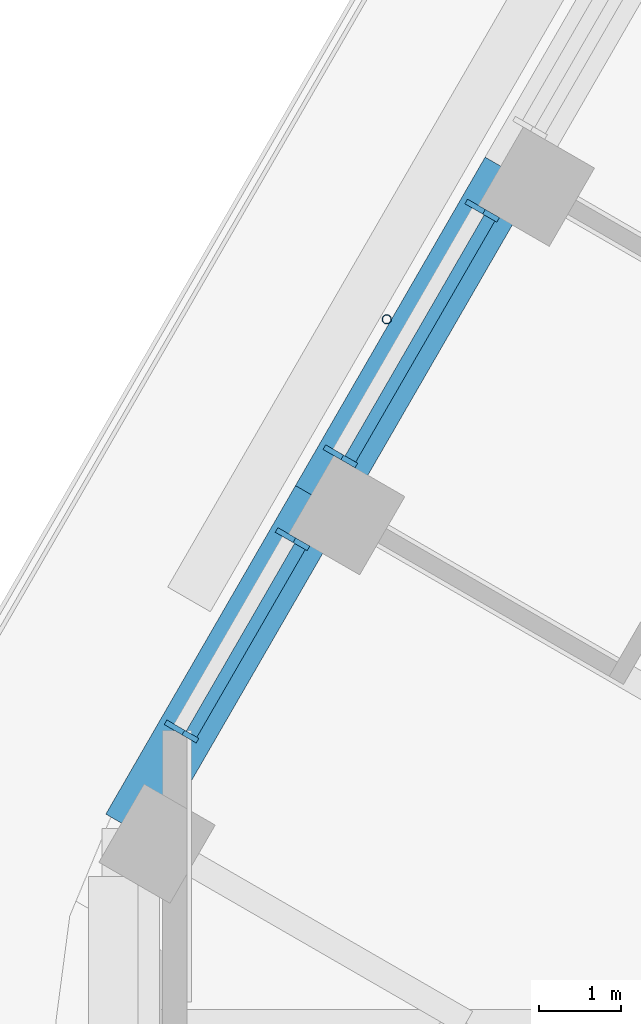
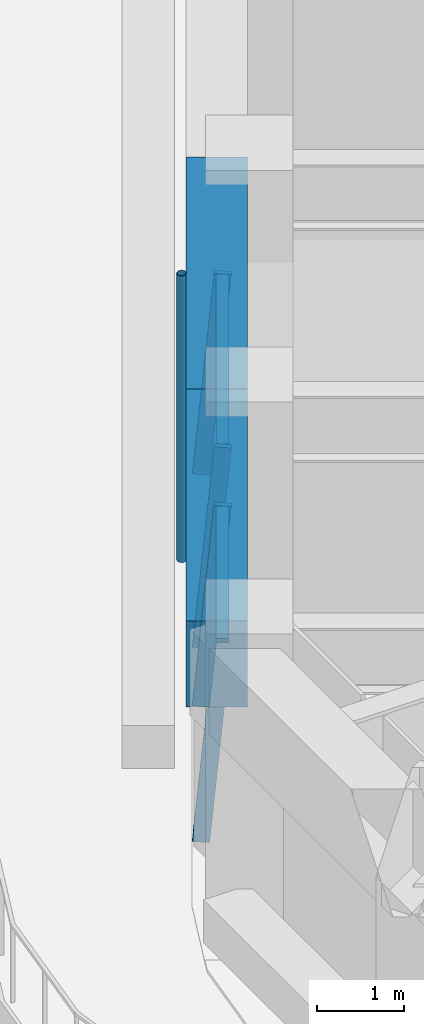
# One storey, part 6 of 20: 7 members, 2 beams, 2 elements without a shape of their own.
"""IFC4 building model written with IfcOpenShell, lengths in metres."""

from ifc_helpers import new_model, si_unit, direction, frame, origin, origin_2d, place, context, subcontext, project, spatial, rectangle, hollow_circle, extrude, material, material_profile, profile_set, type_object, element, aggregate, save


model = new_model("IFC4")

# Units and contexts
model_context = context("Model", 3, precision=1e-05, world=origin(), true_north=direction((0.0, 1.0)))
body_context = subcontext(model_context, "Body", "Model", "MODEL_VIEW")
ifc_project = project(units=[si_unit("LENGTHUNIT", "METRE"), si_unit("AREAUNIT", "SQUARE_METRE"), si_unit("VOLUMEUNIT", "CUBIC_METRE"), si_unit("PLANEANGLEUNIT", "RADIAN"), si_unit("MASSUNIT", "GRAM", prefix="KILO")], contexts=[model_context])

# Site, building, storey
site_placement = place(None, origin())
site = spatial("IfcSite", under=ifc_project, at=site_placement, CompositionType="ELEMENT")
building_placement = place(site_placement, origin())
building = spatial("IfcBuilding", under=site, at=building_placement, Name="Tarfa Lantern Tower", CompositionType="ELEMENT")
storey_placement = place(building_placement, frame((0.0, 0.0, 282.699951171875)))
storey = spatial("IfcBuildingStorey", under=building, at=storey_placement, Name="L64", CompositionType="ELEMENT", Elevation=282.699951171875)

# Curtain wall, members
ifc_material_1 = material(Name="Aluminium framed curtain wall", Category="aluminium")
curtain_wall_type = type_object("IfcCurtainWallType", Name="CW3 CANTED GLAZING HIGH ZONE 2800", PredefinedType="USERDEFINED", material=ifc_material_1)
curtain_wall_1_placement = place(storey_placement, origin())
curtain_wall_1 = element("IfcCurtainWall", 1, at=curtain_wall_1_placement, inside=storey, type_object=curtain_wall_type, Name="CW3 NW L64", ObjectType="CURTAIN WALL", PredefinedType="USERDEFINED")
ifc_material_2 = material(Name="Aluminium mullion", Category="aluminium")
ifc_material_profile_1 = material_profile(ifc_material_2, rectangle(XDim=0.06494140625, YDim=0.199951171875, at=origin_2d()), Name="AL MULLION 65x200")
ifc_profile_set_1 = profile_set([ifc_material_profile_1], Name="Aluminium mullion")
member_type_1 = type_object("IfcMemberType", Name="CWM1 MULLION 65x200", PredefinedType="MULLION", material=ifc_profile_set_1)
member_1_placement = place(storey_placement, frame((-27.62890625, 9.945556640625, 0.0), z_axis=(0.077032386753, -0.044465143199, 0.996036576854), x_axis=(0.499919672301, 0.866071776036, 0.0)))
member_1 = element("IfcMember", 2, at=member_1_placement, type_object=member_type_1, Name="CW3 mullion 1", PredefinedType="MULLION", context=body_context, shape_type="SweptSolid", body=[
    extrude(rectangle(XDim=0.06494140625, YDim=0.199951171875, at=origin_2d()), origin(), (0.0, 0.0, 1.0), 2.811279296875),
])
member_2_placement = place(storey_placement, frame((-29.355712890625, 6.954345703125, 0.0), z_axis=(0.077032386753, -0.044465143199, 0.996036576854), x_axis=(0.499919672301, 0.866071776036, 0.0)))
member_2 = element("IfcMember", 3, at=member_2_placement, type_object=member_type_1, Name="CW3 mullion 2", PredefinedType="MULLION", context=body_context, shape_type="SweptSolid", body=[
    extrude(rectangle(XDim=0.06494140625, YDim=0.199951171875, at=origin_2d()), origin(), (0.0, 0.0, 1.0), 2.811279296875),
])

curtain_wall_2_placement = place(storey_placement, origin())
curtain_wall_2 = element("IfcCurtainWall", 4, at=curtain_wall_2_placement, inside=storey, type_object=curtain_wall_type, Name="CW3 NW L64", ObjectType="CURTAIN WALL", PredefinedType="USERDEFINED")
member_3_placement = place(storey_placement, frame((-29.938232421875, 5.945556640625, 0.0), z_axis=(0.077032386753, -0.044465143199, 0.996036576854), x_axis=(0.499919672301, 0.866071776036, 0.0)))
member_3 = element("IfcMember", 5, at=member_3_placement, type_object=member_type_1, Name="CW3 mullion 1", PredefinedType="MULLION", context=body_context, shape_type="SweptSolid", body=[
    extrude(rectangle(XDim=0.06494140625, YDim=0.199951171875, at=origin_2d()), origin(), (0.0, 0.0, 1.0), 2.811279296875),
])
member_4_placement = place(storey_placement, frame((-31.2900390625, 3.60400390625, 0.0), z_axis=(0.077032386753, -0.044465143199, 0.996036576854), x_axis=(0.499919672301, 0.866071776036, 0.0)))
member_4 = element("IfcMember", 6, at=member_4_placement, type_object=member_type_1, Name="CW3 mullion 2", PredefinedType="MULLION", context=body_context, shape_type="SweptSolid", body=[
    extrude(rectangle(XDim=0.06494140625, YDim=0.199951171875, at=origin_2d()), origin(), (0.0, 0.0, 1.0), 2.811279296875),
])

# Member
ifc_material_3 = material(Name="Aluminium transom", Category="aluminium")
ifc_material_profile_2 = material_profile(ifc_material_3, rectangle(XDim=0.14990234375, YDim=0.06494140625, at=origin_2d()), Name="AL TRANSOM 150x65")
ifc_profile_set_2 = profile_set([ifc_material_profile_2], Name="Aluminium transom")
member_type_2 = type_object("IfcMemberType", Name="CWT1 TRANSOM 150x65", PredefinedType="USERDEFINED", material=ifc_profile_set_2)
member_5_placement = place(storey_placement, frame((-27.43115234375, 9.7939453125, 2.767578125), z_axis=(-0.499982299553, -0.866035622901, 0.0), x_axis=(0.866035622901, -0.499982299553, 0.0)))
member_5 = element("IfcMember", 7, at=member_5_placement, type_object=member_type_2, Name="CW3 transom 1.2", ObjectType="TRANSOM", PredefinedType="USERDEFINED", context=body_context, shape_type="SweptSolid", body=[
    extrude(rectangle(XDim=0.14990234375, YDim=0.06494140625, at=origin_2d()), origin(), (0.0, 0.0, 1.0), 3.388671875),
])

aggregate(curtain_wall_1, [member_1, member_2, member_5])

member_6_placement = place(storey_placement, frame((-29.740478515625, 5.7939453125, 2.767578125), z_axis=(-0.499960041298, -0.866048472723, 0.0), x_axis=(0.866048472723, -0.499960041298, 0.0)))
member_6 = element("IfcMember", 8, at=member_6_placement, type_object=member_type_2, Name="CW3 transom 1.2", ObjectType="TRANSOM", PredefinedType="USERDEFINED", context=body_context, shape_type="SweptSolid", body=[
    extrude(rectangle(XDim=0.14990234375, YDim=0.06494140625, at=origin_2d()), origin(), (0.0, 0.0, 1.0), 2.638916015625),
])

aggregate(curtain_wall_2, [member_3, member_4, member_6])

# Beams
ifc_material_4 = material(Name="Concrete C80/95", Category="concrete")
ifc_material_profile_3 = material_profile(ifc_material_4, rectangle(XDim=0.699951171875, YDim=1.199951171875, at=origin_2d()), Name="RC 700x1200")
ifc_profile_set_3 = profile_set([ifc_material_profile_3], Name="Concrete C80/95")
beam_type = type_object("IfcBeamType", Name="EB3 RC 700x1200", PredefinedType="SPANDREL", material=ifc_profile_set_3)
beam_1_placement = place(storey_placement, frame((-27.181640625, 10.360107421875, 3.400146484375), z_axis=(-0.499987836815, -0.866032426089, 0.0), x_axis=(0.866032426089, -0.499987836815, 0.0)))
element("IfcBeam", 9, at=beam_1_placement, inside=storey, type_object=beam_type, Name="Edge beam NW4", PredefinedType="SPANDREL", context=body_context, shape_type="SweptSolid", body=[
    extrude(rectangle(XDim=0.699951171875, YDim=1.199951171875, at=origin_2d()), origin(), (0.0, 0.0, 1.0), 4.61865234375),
])
beam_2_placement = place(storey_placement, frame((-29.490966796875, 6.360107421875, 3.400146484375), z_axis=(-0.500027479704, -0.866009537788, 0.0), x_axis=(0.866009537788, -0.500027479704, 0.0)))
element("IfcBeam", 10, at=beam_2_placement, inside=storey, type_object=beam_type, Name="Edge beam NW5", PredefinedType="SPANDREL", context=body_context, shape_type="SweptSolid", body=[
    extrude(rectangle(XDim=0.699951171875, YDim=1.199951171875, at=origin_2d()), origin(), (0.0, 0.0, 1.0), 4.618896484375),
])

# Member
ifc_material_5 = material(Name="Steel S355", Category="steel")
ifc_material_profile_4 = material_profile(ifc_material_5, hollow_circle(Radius=0.05712890625, WallThickness=0.00634765625, at=origin_2d()), Name="CHS114.3x6.3")
ifc_profile_set_4 = profile_set([ifc_material_profile_4], Name="Steel S355")
member_type_3 = type_object("IfcMemberType", Name="TR1 GREEN WALL TRELLIS CHS114.3x6.3", PredefinedType="USERDEFINED", material=ifc_profile_set_4)
member_7_placement = place(storey_placement, frame((-28.682861328125, 8.56005859375, 0.0), z_axis=(0.0, 0.0, 1.0), x_axis=(1.0, 0.0, 0.0)))
element("IfcMember", 11, at=member_7_placement, inside=storey, type_object=member_type_3, Name="Trellis post NW 2", ObjectType="TRELLIS", PredefinedType="USERDEFINED", context=body_context, shape_type="SweptSolid", body=[
    extrude(hollow_circle(Radius=0.05712890625, WallThickness=0.00634765625, at=origin_2d()), origin(), (0.0, 0.0, 1.0), 4.0),
])

save(model, "model.ifc")
